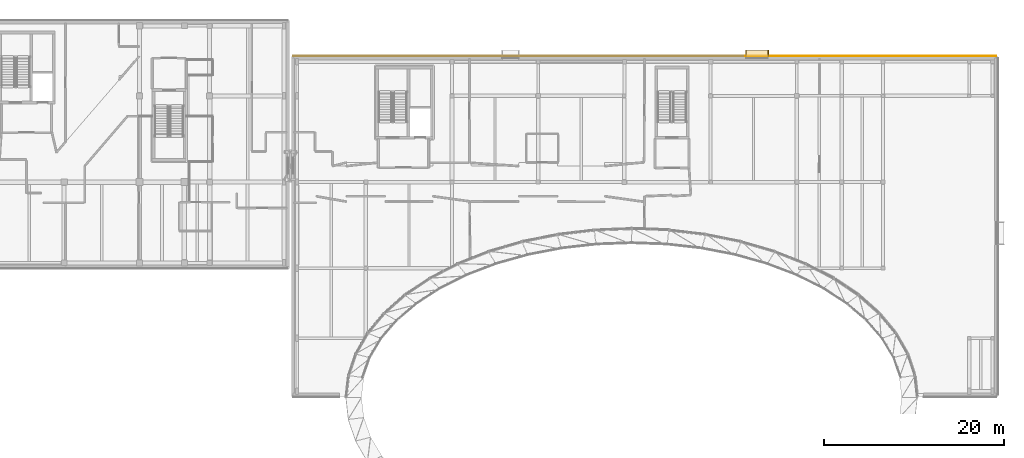
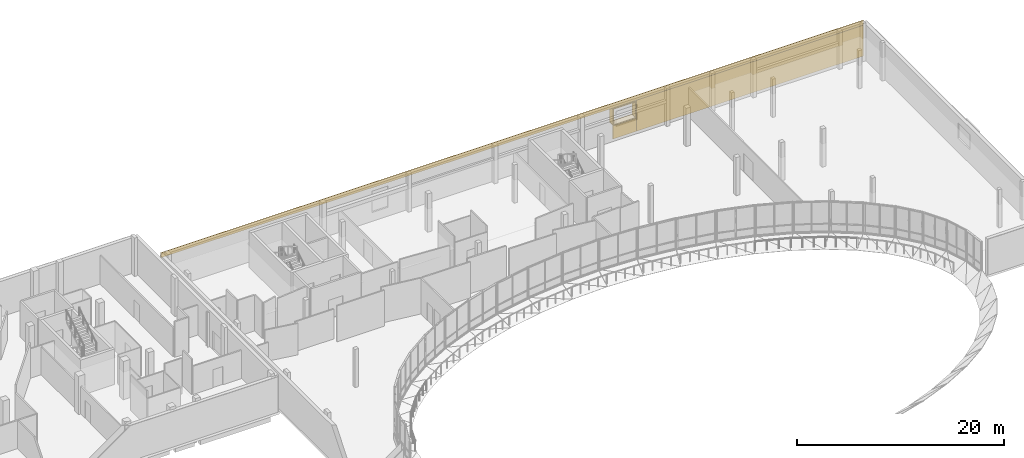
# One storey, part 41 of 41: 7 coverings.
"""IFC4 building model written with IfcOpenShell, lengths in metres."""

from ifc_helpers import new_model, si_unit, direction, frame, origin, origin_2d, place, context, subcontext, project, spatial, rectangle, extrude, material, layer, layer_set, type_object, element, save


model = new_model("IFC4")

# Units and contexts
model_context = context("Model", 3, precision=1e-05, world=origin(), true_north=direction((0.0, 1.0)))
body_context = subcontext(model_context, "Body", "Model", "MODEL_VIEW")
ifc_project = project(units=[si_unit("LENGTHUNIT", "METRE"), si_unit("AREAUNIT", "SQUARE_METRE"), si_unit("VOLUMEUNIT", "CUBIC_METRE"), si_unit("PLANEANGLEUNIT", "RADIAN"), si_unit("MASSUNIT", "GRAM", prefix="KILO")], contexts=[model_context])

# Site, building, storey
site_placement = place(None, origin())
site = spatial("IfcSite", under=ifc_project, at=site_placement, CompositionType="ELEMENT")
building_placement = place(site_placement, origin())
building = spatial("IfcBuilding", under=site, at=building_placement, Name="Mzevani Central Library", CompositionType="ELEMENT")
storey_placement = place(building_placement, frame((0.0, 0.0, 13.800048828125)))
storey = spatial("IfcBuildingStorey", under=building, at=storey_placement, Name="L03", CompositionType="ELEMENT", Elevation=13.800048828125)

# Coverings
ifc_material = material(Name="Limestone ashlar cladding", Category="masonry")
ifc_layer = layer(ifc_material, 0.050048828125, Name="Limestone Ashlar Spandrel Cladding")
ifc_layer_set = layer_set([ifc_layer], Name="Limestone ashlar cladding")
covering_type = type_object("IfcCoveringType", Name="Limestone Ashlar Spandrel Cladding", PredefinedType="CLADDING", material=ifc_layer_set)
for number, where, z_axis, x_axis, name in (
    (1, (97.981201171875, 114.337890625, 3.44970703125), (0.0, 0.0, 1.0), (1.0, 0.0, 0.0), "L03 Deep Window Reveal HD (REV4-0129)"),
    (2, (97.981201171875, 114.337890625, 1.56005859375), (0.0, 0.0, 1.0), (1.0, 0.0, 0.0), "L03 Deep Window Reveal SL (REV4-0129)"),
):
    element("IfcCovering", number, at=place(storey_placement, frame(where, z_axis=z_axis, x_axis=x_axis)), inside=storey, type_object=covering_type, Name=name, PredefinedType="CLADDING", context=body_context, shape_type="SweptSolid", body=[
        extrude(rectangle(XDim=2.580078125, YDim=0.679931640625, at=origin_2d()), origin(), (0.0, 0.0, 1.0), 0.090087890625),
    ])
for number, where, z_axis, x_axis, name in (
    (3, (96.736083984375, 114.337890625, 1.64990234375), (0.0, 0.0, 1.0), (1.0, 0.0, 0.0), "L03 Deep Window Reveal JL (REV4-0129)"),
    (4, (99.226318359375, 114.337890625, 1.64990234375), (0.0, 0.0, 1.0), (1.0, 0.0, 0.0), "L03 Deep Window Reveal JR (REV4-0129)"),
):
    element("IfcCovering", number, at=place(storey_placement, frame(where, z_axis=z_axis, x_axis=x_axis)), inside=storey, type_object=covering_type, Name=name, PredefinedType="CLADDING", context=body_context, shape_type="SweptSolid", body=[
        extrude(rectangle(XDim=0.090087890625, YDim=0.679931640625, at=origin_2d()), origin(), (0.0, 0.0, 1.0), 1.800048828125),
    ])
covering_1_placement = place(storey_placement, frame((85.449951171875, 114.02392578125, 3.64990234375), z_axis=(0.0, 0.0, 1.0), x_axis=(1.0, 0.0, 0.0)))
element("IfcCovering", 5, at=covering_1_placement, inside=storey, type_object=covering_type, Name="L03 Warm-White Facade Spandrel (EW4-V3-L03-0064)", PredefinedType="CLADDING", context=body_context, shape_type="SweptSolid", body=[
    extrude(rectangle(XDim=78.280029296875, YDim=0.050048828125, at=origin_2d()), origin(), (0.0, 0.0, 1.0), 0.570068359375),
])
covering_2_placement = place(storey_placement, frame((97.981201171875, 114.02392578125, 0.0), z_axis=(0.0, 0.0, 1.0), x_axis=(1.0, 0.0, 0.0)))
element("IfcCovering", 6, at=covering_2_placement, inside=storey, type_object=covering_type, Name="L03 Warm-White Sill Cladding 4 (EW4-V3-L03-0064)", PredefinedType="CLADDING", context=body_context, shape_type="SweptSolid", body=[
    extrude(rectangle(XDim=2.60009765625, YDim=0.050048828125, at=origin_2d()), origin(), (0.0, 0.0, 1.0), 1.550048828125),
])
covering_3_placement = place(storey_placement, frame((111.945556640625, 114.02392578125, 0.0), z_axis=(0.0, 0.0, 1.0), x_axis=(1.0, 0.0, 0.0)))
element("IfcCovering", 7, at=covering_3_placement, inside=storey, type_object=covering_type, Name="L03 Warm-White Facade Pier 5 (EW4-V3-L03-0064)", PredefinedType="CLADDING", context=body_context, shape_type="SweptSolid", body=[
    extrude(rectangle(XDim=25.288818359375, YDim=0.050048828125, at=origin_2d()), origin(), (0.0, 0.0, 1.0), 3.64990234375),
])

save(model, "model.ifc")
